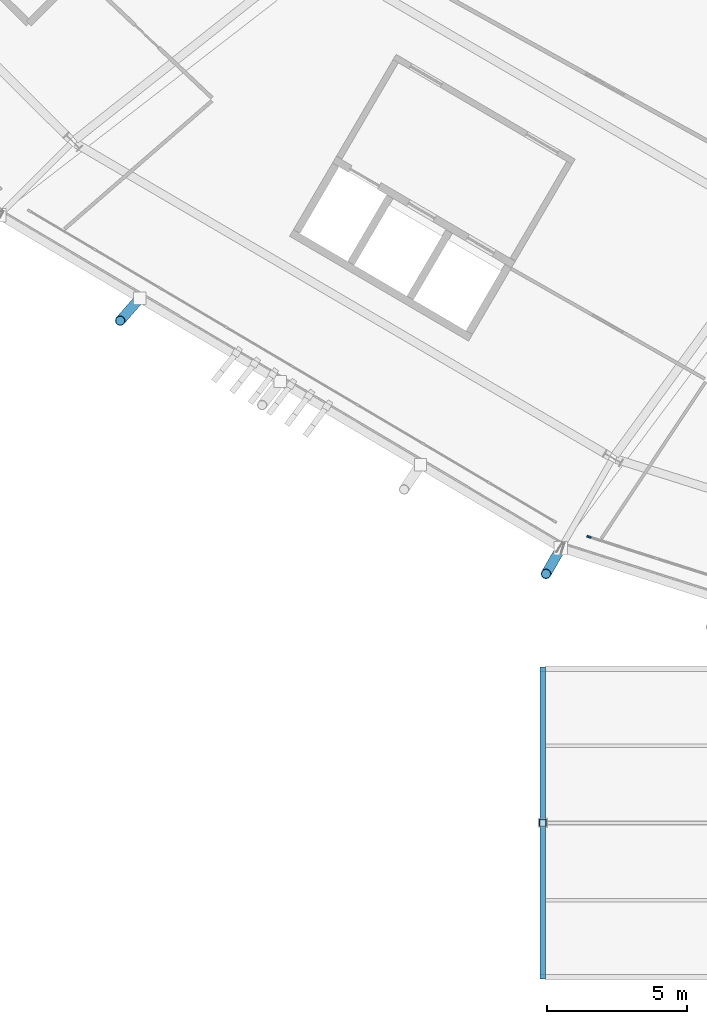
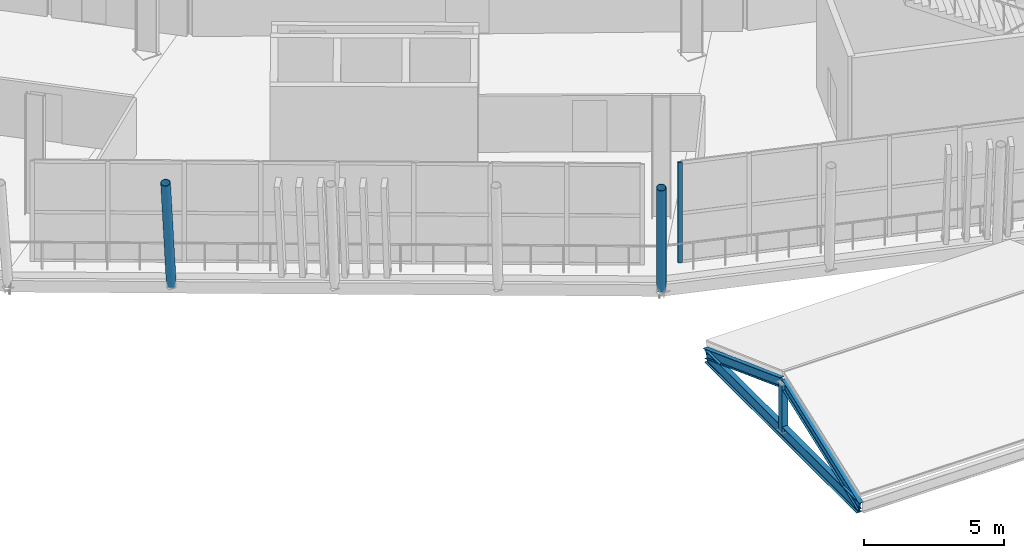
# One storey, part 21 of 168: 6 members, 1 beam, 1 element without a shape of its own.
"""IFC4 building model written with IfcOpenShell, lengths in metres."""

from ifc_helpers import new_model, si_unit, direction, frame, origin, origin_2d, place, context, subcontext, project, spatial, rectangle, hollow_rectangle, hollow_circle, i_section, extrude, material, material_profile, profile_set, type_object, element, aggregate, save


model = new_model("IFC4")

# Units and contexts
model_context = context("Model", 3, precision=1e-05, world=origin(), true_north=direction((0.0, 1.0)))
body_context = subcontext(model_context, "Body", "Model", "MODEL_VIEW")
ifc_project = project(units=[si_unit("LENGTHUNIT", "METRE"), si_unit("AREAUNIT", "SQUARE_METRE"), si_unit("VOLUMEUNIT", "CUBIC_METRE"), si_unit("PLANEANGLEUNIT", "RADIAN"), si_unit("MASSUNIT", "GRAM", prefix="KILO")], contexts=[model_context])

# Site, building, storey
site_placement = place(None, origin())
site = spatial("IfcSite", under=ifc_project, at=site_placement, CompositionType="ELEMENT")
building_placement = place(site_placement, origin())
building = spatial("IfcBuilding", under=site, at=building_placement, Name="Zlatoyarsky Gate Stadium", CompositionType="ELEMENT")
storey_placement = place(building_placement, frame((0.0, 0.0, 15.60009765625)))
storey = spatial("IfcBuildingStorey", under=building, at=storey_placement, Name="L03", CompositionType="ELEMENT", Elevation=15.60009765625)

# Curtain wall, member
ifc_material_1 = material(Name="Thermally broken anodised aluminium curtain wall", Category="aluminium")
curtain_wall_type = type_object("IfcCurtainWallType", Name="UNITISED CORPORATE BOX GLAZING L03", PredefinedType="USERDEFINED", material=ifc_material_1)
curtain_wall_placement = place(storey_placement, origin())
curtain_wall = element("IfcCurtainWall", 1, at=curtain_wall_placement, inside=storey, type_object=curtain_wall_type, Name="Curtain wall CW-L03-16", ObjectType="UNITISED GLAZING", PredefinedType="USERDEFINED")
ifc_material_2 = material(Name="Anodised aluminium 6063-T6", Category="aluminium")
ifc_material_profile_1 = material_profile(ifc_material_2, rectangle(XDim=0.06494140625, YDim=0.159912109375, at=origin_2d()), Name="ALU 65X160")
ifc_profile_set_1 = profile_set([ifc_material_profile_1], Name="Anodised aluminium 6063-T6")
member_type_1 = type_object("IfcMemberType", Name="ALUMINIUM MULLION 65X160", PredefinedType="MULLION", material=ifc_profile_set_1)
member_1_placement = place(storey_placement, frame((63.649169921875, 15.70458984375, 0.0), z_axis=(0.0, 0.0, 1.0), x_axis=(0.304162129597, 0.952620280552, 0.0)))
member_1 = element("IfcMember", 2, at=member_1_placement, type_object=member_type_1, Name="CW-UG3 mullion 1", PredefinedType="MULLION", context=body_context, shape_type="SweptSolid", body=[
    extrude(rectangle(XDim=0.06494140625, YDim=0.159912109375, at=origin_2d()), origin(), (0.0, 0.0, 1.0), 4.3798828125),
])
aggregate(curtain_wall, [member_1])

# Beam
ifc_material_3 = material(Name="Steel S355", Category="steel")
ifc_material_profile_2 = material_profile(ifc_material_3, i_section(OverallWidth=0.2099609375, OverallDepth=0.550048828125, WebThickness=0.010986328125, FlangeThickness=0.01708984375, FilletRadius=0.02392578125, at=origin_2d()), Name="IPE 550")
ifc_profile_set_2 = profile_set([ifc_material_profile_2], Name="Steel S355")
beam_type = type_object("IfcBeamType", Name="STEEL FLOOR BEAM IPE 550", PredefinedType="BEAM", material=ifc_profile_set_2)
beam_placement = place(storey_placement, frame((62.0, 0.080078125, -0.55517578125), z_axis=(0.0, 1.0, 0.0), x_axis=(-1.0, 0.0, 0.0)))
element("IfcBeam", 3, at=beam_placement, inside=storey, type_object=beam_type, Name="Beam B-IPE550 BM-L03-WGY-6-A", PredefinedType="BEAM", context=body_context, shape_type="SweptSolid", body=[
    extrude(i_section(OverallWidth=0.2099609375, OverallDepth=0.550048828125, WebThickness=0.010986328125, FlangeThickness=0.01708984375, FilletRadius=0.02392578125, at=origin_2d()), origin(), (0.0, 0.0, 1.0), 10.83984375),
])

# Members
ifc_material_profile_3 = material_profile(ifc_material_3, hollow_circle(Radius=0.177734375, WallThickness=0.02001953125, at=origin_2d()), Name="CHS 355.6X20")
ifc_profile_set_3 = profile_set([ifc_material_profile_3], Name="Steel S355")
member_type_2 = type_object("IfcMemberType", Name="STEEL LEANING RIB RING STRUT CHS 355.6X20", PredefinedType="STRUT", material=ifc_profile_set_3)
member_2_placement = place(storey_placement, frame((62.64892578125, 15.305908203125, -0.580078125), z_axis=(-0.100910684317, -0.174770288575, 0.979424514714), x_axis=(0.866010359988, -0.500026055714, 0.0)))
element("IfcMember", 4, at=member_2_placement, inside=storey, type_object=member_type_2, Name="Leaning ring strut 16 L03 to L04", PredefinedType="STRUT", context=body_context, shape_type="SweptSolid", body=[
    extrude(hollow_circle(Radius=0.177734375, WallThickness=0.02001953125, at=origin_2d()), origin(), (0.0, 0.0, 1.0), 5.288818359375),
])
member_3_placement = place(storey_placement, frame((47.628173828125, 24.209716796875, -0.530029296875), z_axis=(-0.132289242241, -0.150758944474, 0.979679180675), x_axis=(0.75164898085, -0.659563347668, 0.0)))
element("IfcMember", 5, at=member_3_placement, inside=storey, type_object=member_type_2, Name="Outward-leaning bowl louvre fin rib L03 15-1", PredefinedType="STRUT", context=body_context, shape_type="SweptSolid", body=[
    extrude(hollow_circle(Radius=0.177734375, WallThickness=0.02001953125, at=origin_2d()), origin(), (0.0, 0.0, 1.0), 5.287353515625),
])
ifc_material_profile_4 = material_profile(ifc_material_3, i_section(OverallWidth=0.179931640625, OverallDepth=0.39990234375, WebThickness=0.008544921875, FlangeThickness=0.013427734375, FilletRadius=0.02099609375, at=origin_2d()), Name="IPE 400")
ifc_profile_set_4 = profile_set([ifc_material_profile_4], Name="Steel S355")
member_type_3 = type_object("IfcMemberType", Name="STEEL PAVILION ROOF RAFTER IPE 400", PredefinedType="RAFTER", material=ifc_profile_set_4)
for number, where, z_axis, x_axis, name in (
    (6, (62.0, 0.0, -0.5), (0.0, 0.937038350514, 0.349226473318), (-1.0, 0.0, 0.0), "V3_SOUTH_W roof rafter 1A"),
    (7, (62.0, 11.0, -0.5), (0.0, -0.937038350514, 0.349226473318), (1.0, 0.0, 0.0), "V3_SOUTH_W roof rafter 1B"),
):
    element("IfcMember", number, at=place(storey_placement, frame(where, z_axis=z_axis, x_axis=x_axis)), inside=storey, type_object=member_type_3, Name=name, PredefinedType="RAFTER", context=body_context, shape_type="SweptSolid", body=[
        extrude(i_section(OverallWidth=0.179931640625, OverallDepth=0.39990234375, WebThickness=0.008544921875, FlangeThickness=0.013427734375, FilletRadius=0.02099609375, at=origin_2d()), origin(), (0.0, 0.0, 1.0), 5.86962890625),
    ])
ifc_material_profile_5 = material_profile(ifc_material_3, hollow_rectangle(XDim=0.25, YDim=0.25, WallThickness=0.01611328125, at=origin_2d()), Name="SHS 250X250X16")
ifc_profile_set_5 = profile_set([ifc_material_profile_5], Name="Steel S355")
member_type_4 = type_object("IfcMemberType", Name="STEEL PAVILION TRUSS STRUT SHS 250X250X16", PredefinedType="STRUT", material=ifc_profile_set_5)
member_4_placement = place(storey_placement, frame((62.0, 5.5, -0.530029296875), z_axis=(0.0, 0.0, 1.0), x_axis=(1.0, 0.0, 0.0)))
element("IfcMember", 8, at=member_4_placement, inside=storey, type_object=member_type_4, Name="V3_SOUTH_W king post strut 1", PredefinedType="STRUT", context=body_context, shape_type="SweptSolid", body=[
    extrude(hollow_rectangle(XDim=0.25, YDim=0.25, WallThickness=0.01611328125, at=origin_2d()), origin(), (0.0, 0.0, 1.0), 2.079833984375),
])

save(model, "model.ifc")
